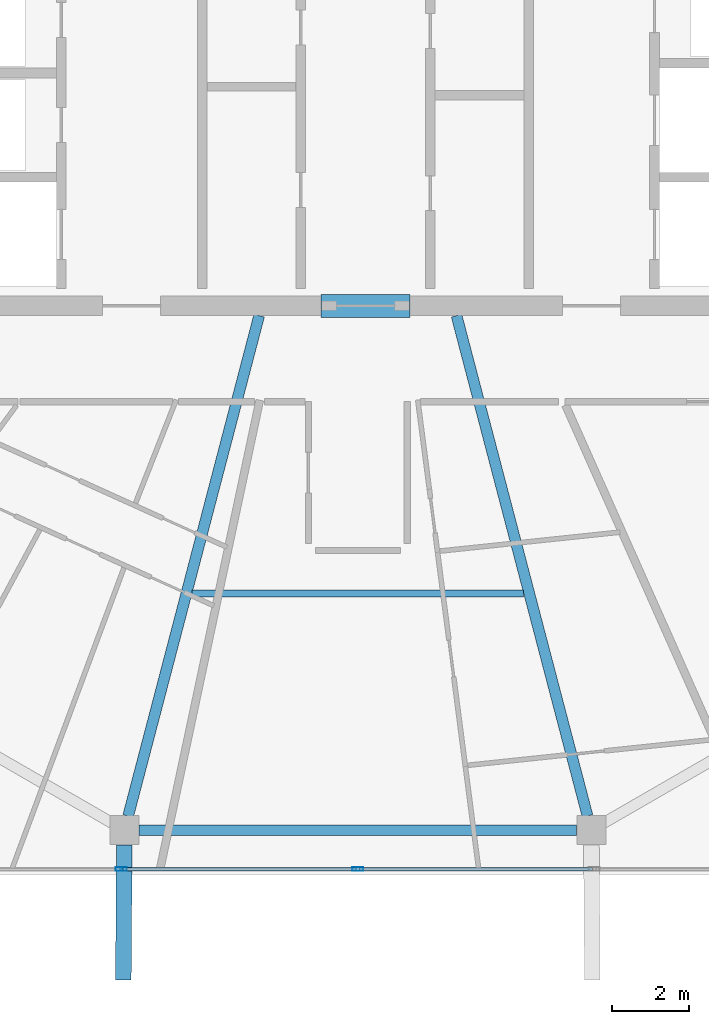
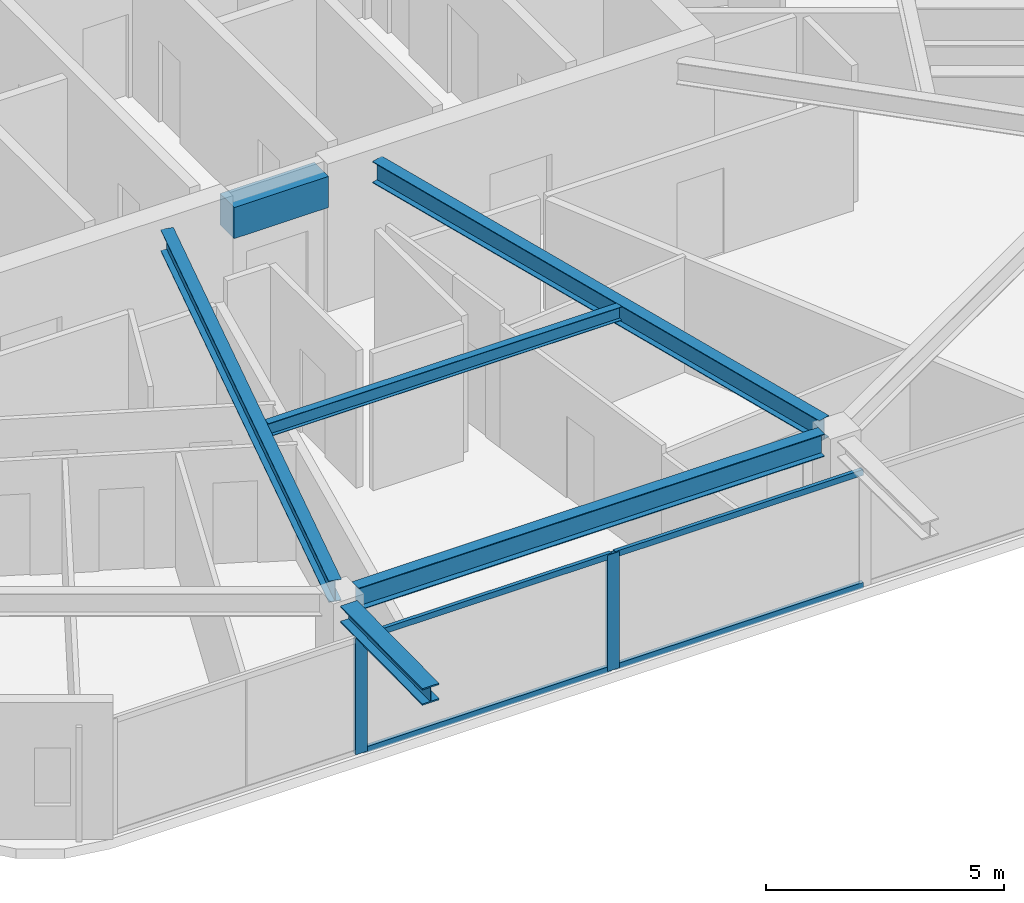
# One storey, part 3 of 23: 6 beams, 6 members, 1 element without a shape of its own.
"""IFC4 building model written with IfcOpenShell, lengths in metres."""

from ifc_helpers import new_model, si_unit, direction, frame, origin, origin_2d, place, context, subcontext, project, spatial, rectangle, hollow_rectangle, i_section, extrude, material, material_profile, profile_set, type_object, element, aggregate, save


model = new_model("IFC4")

# Units and contexts
model_context = context("Model", 3, precision=1e-05, world=origin(), true_north=direction((0.0, 1.0)))
body_context = subcontext(model_context, "Body", "Model", "MODEL_VIEW")
ifc_project = project(units=[si_unit("LENGTHUNIT", "METRE"), si_unit("AREAUNIT", "SQUARE_METRE"), si_unit("VOLUMEUNIT", "CUBIC_METRE"), si_unit("PLANEANGLEUNIT", "RADIAN"), si_unit("MASSUNIT", "GRAM", prefix="KILO")], contexts=[model_context])

# Site, building, storey
site_placement = place(None, origin())
site = spatial("IfcSite", under=ifc_project, at=site_placement, CompositionType="ELEMENT")
building_placement = place(site_placement, origin())
building = spatial("IfcBuilding", under=site, at=building_placement, Name="Zuhravey Tower", CompositionType="ELEMENT")
storey_placement = place(building_placement, frame((0.0, 0.0, 350.0)))
storey = spatial("IfcBuildingStorey", under=building, at=storey_placement, Name="L89", CompositionType="ELEMENT", Elevation=350.0)

# Beam
ifc_material_1 = material(Name="Concrete C50/60", Category="concrete")
ifc_material_profile_1 = material_profile(ifc_material_1, rectangle(XDim=0.60009765625, YDim=0.800048828125, at=origin_2d()), Name="RC-600x800")
ifc_profile_set_1 = profile_set([ifc_material_profile_1], Name="Concrete C50/60")
beam_type_1 = type_object("IfcBeamType", Name="Core Coupling Beam RC600x800", PredefinedType="LINTEL", material=ifc_profile_set_1)
beam_1_placement = place(storey_placement, frame((35.052001953125, 22.5, 3.1201171875), z_axis=(1.0, 0.0, 0.0), x_axis=(0.0, 1.0, 0.0)))
element("IfcBeam", 1, at=beam_1_placement, inside=storey, type_object=beam_type_1, Name="L89 CB2 BM-L89-CB-S", PredefinedType="LINTEL", context=body_context, shape_type="SweptSolid", body=[
    extrude(rectangle(XDim=0.60009765625, YDim=0.800048828125, at=origin_2d()), origin(), (0.0, 0.0, 1.0), 2.2958984375),
])

# Curtain wall, members
ifc_material_2 = material(Name="Thermally broken anodised aluminium", Category="aluminium")
curtain_wall_type = type_object("IfcCurtainWallType", Name="Zone 3-4 High-Rise Curtain Wall CW4", PredefinedType="NOTDEFINED", material=ifc_material_2)
curtain_wall_placement = place(storey_placement, origin())
curtain_wall = element("IfcCurtainWall", 2, at=curtain_wall_placement, inside=storey, type_object=curtain_wall_type, Name="L89 CW4 CW-L89-F5-1", PredefinedType="NOTDEFINED")
ifc_material_3 = material(Name="Anodised aluminium", Category="aluminium")
ifc_material_profile_2 = material_profile(ifc_material_3, hollow_rectangle(XDim=0.090087890625, YDim=0.284912109375, WallThickness=0.0048828125, at=origin_2d()), Name="ALU-RHS-90x285x5")
ifc_profile_set_2 = profile_set([ifc_material_profile_2], Name="Anodised aluminium")
member_type_1 = type_object("IfcMemberType", Name="Curtain-Wall Mullion 90x180", PredefinedType="MULLION", material=ifc_profile_set_2)
member_1_placement = place(storey_placement, frame((36.0, 7.92578125, 0.0), z_axis=(0.0, 0.0, 1.0), x_axis=(0.0, -1.0, 0.0)))
member_1 = element("IfcMember", 3, at=member_1_placement, type_object=member_type_1, Name="CW4 mullion 3", PredefinedType="MULLION", context=body_context, shape_type="SweptSolid", body=[
    extrude(hollow_rectangle(XDim=0.090087890625, YDim=0.284912109375, WallThickness=0.0048828125, at=origin_2d()), origin(), (0.0, 0.0, 1.0), 2.987060546875),
])
member_2_placement = place(storey_placement, frame((29.88037109375, 7.92578125, 0.0), z_axis=(0.0, 0.0, 1.0), x_axis=(0.0, -1.0, 0.0)))
member_2 = element("IfcMember", 4, at=member_2_placement, type_object=member_type_1, Name="CW4 mullion 4", PredefinedType="MULLION", context=body_context, shape_type="SweptSolid", body=[
    extrude(hollow_rectangle(XDim=0.090087890625, YDim=0.284912109375, WallThickness=0.0048828125, at=origin_2d()), origin(), (0.0, 0.0, 1.0), 2.987060546875),
])
ifc_material_profile_3 = material_profile(ifc_material_3, hollow_rectangle(XDim=0.090087890625, YDim=0.14990234375, WallThickness=0.0048828125, at=origin_2d()), Name="ALU-RHS-90x150x5")
ifc_profile_set_3 = profile_set([ifc_material_profile_3], Name="Anodised aluminium")
member_type_2 = type_object("IfcMemberType", Name="Curtain-Wall Transom 90x150", PredefinedType="USERDEFINED", material=ifc_profile_set_3)
member_3_placement = place(storey_placement, frame((42.07470703125, 7.92578125, 0.044921875), z_axis=(-1.0, 0.0, 0.0), x_axis=(0.0, -1.0, 0.0)))
member_3 = element("IfcMember", 5, at=member_3_placement, type_object=member_type_2, Name="CW4 transom 2.1", ObjectType="TRANSOM", PredefinedType="USERDEFINED", context=body_context, shape_type="SweptSolid", body=[
    extrude(hollow_rectangle(XDim=0.090087890625, YDim=0.14990234375, WallThickness=0.0048828125, at=origin_2d()), origin(), (0.0, 0.0, 1.0), 6.02978515625),
])
member_4_placement = place(storey_placement, frame((42.07470703125, 7.92578125, 2.94189453125), z_axis=(-1.0, 0.0, 0.0), x_axis=(0.0, -1.0, 0.0)))
member_4 = element("IfcMember", 6, at=member_4_placement, type_object=member_type_2, Name="CW4 transom 2.2", ObjectType="TRANSOM", PredefinedType="USERDEFINED", context=body_context, shape_type="SweptSolid", body=[
    extrude(hollow_rectangle(XDim=0.090087890625, YDim=0.14990234375, WallThickness=0.0048828125, at=origin_2d()), origin(), (0.0, 0.0, 1.0), 6.02978515625),
])
member_5_placement = place(storey_placement, frame((35.955078125, 7.92578125, 0.044921875), z_axis=(-1.0, 0.0, 0.0), x_axis=(0.0, -1.0, 0.0)))
member_5 = element("IfcMember", 7, at=member_5_placement, type_object=member_type_2, Name="CW4 transom 3.1", ObjectType="TRANSOM", PredefinedType="USERDEFINED", context=body_context, shape_type="SweptSolid", body=[
    extrude(hollow_rectangle(XDim=0.090087890625, YDim=0.14990234375, WallThickness=0.0048828125, at=origin_2d()), origin(), (0.0, 0.0, 1.0), 6.02978515625),
])
member_6_placement = place(storey_placement, frame((35.955078125, 7.92578125, 2.94189453125), z_axis=(-1.0, 0.0, 0.0), x_axis=(0.0, -1.0, 0.0)))
member_6 = element("IfcMember", 8, at=member_6_placement, type_object=member_type_2, Name="CW4 transom 3.2", ObjectType="TRANSOM", PredefinedType="USERDEFINED", context=body_context, shape_type="SweptSolid", body=[
    extrude(hollow_rectangle(XDim=0.090087890625, YDim=0.14990234375, WallThickness=0.0048828125, at=origin_2d()), origin(), (0.0, 0.0, 1.0), 6.02978515625),
])
aggregate(curtain_wall, [member_1, member_2, member_3, member_4, member_5, member_6])

# Beams
ifc_material_4 = material(Name="Steel SM460", Category="steel")
ifc_material_profile_4 = material_profile(ifc_material_4, i_section(OverallWidth=0.406982421875, OverallDepth=0.427978515625, WebThickness=0.02001953125, FlangeThickness=0.034912109375, at=origin_2d()), Name="H-428x407x20x35")
ifc_profile_set_4 = profile_set([ifc_material_profile_4], Name="Steel SM460")
beam_type_2 = type_object("IfcBeamType", Name="Exoskeleton Node Tie Beam H428x407", PredefinedType="BEAM", material=ifc_profile_set_4)
beam_2_placement = place(storey_placement, frame((29.95849609375, 8.556884765625, 3.200927734375), z_axis=(-0.00740203185, -0.999972604587, 0.0), x_axis=(0.999972604587, -0.00740203185, 0.0)))
element("IfcBeam", 9, at=beam_2_placement, inside=storey, type_object=beam_type_2, Name="L89 Exoskeleton Node Tie NT1-09", PredefinedType="BEAM", context=body_context, shape_type="SweptSolid", body=[
    extrude(i_section(OverallWidth=0.406982421875, OverallDepth=0.427978515625, WebThickness=0.02001953125, FlangeThickness=0.034912109375, at=origin_2d()), origin(), (0.0, 0.0, 1.0), 3.49609375),
])
ifc_material_5 = material(Name="Steel SM355", Category="steel")
ifc_material_profile_5 = material_profile(ifc_material_5, i_section(OverallWidth=0.280029296875, OverallDepth=0.580078125, WebThickness=0.011962890625, FlangeThickness=0.01904296875, at=origin_2d()), Name="H-580x280x12x19")
ifc_profile_set_5 = profile_set([ifc_material_profile_5], Name="Steel SM355")
beam_type_3 = type_object("IfcBeamType", Name="Perimeter Ring Beam H580x280", PredefinedType="BEAM", material=ifc_profile_set_5)
beam_3_placement = place(storey_placement, frame((30.33935546875, 8.935791015625, 3.22998046875), z_axis=(1.0, 0.0, 0.0), x_axis=(0.0, 1.0, 0.0)))
element("IfcBeam", 10, at=beam_3_placement, inside=storey, type_object=beam_type_3, Name="L89 PB4 BM-L89-PB-09", PredefinedType="BEAM", context=body_context, shape_type="SweptSolid", body=[
    extrude(i_section(OverallWidth=0.280029296875, OverallDepth=0.580078125, WebThickness=0.011962890625, FlangeThickness=0.01904296875, at=origin_2d()), origin(), (0.0, 0.0, 1.0), 11.3212890625),
])
ifc_material_profile_6 = material_profile(ifc_material_5, i_section(OverallWidth=0.280029296875, OverallDepth=0.550048828125, WebThickness=0.010986328125, FlangeThickness=0.01806640625, at=origin_2d()), Name="H-550x280x11x18")
ifc_profile_set_6 = profile_set([ifc_material_profile_6], Name="Steel SM355")
beam_type_4 = type_object("IfcBeamType", Name="Radial Primary Girder H550x280", PredefinedType="BEAM", material=ifc_profile_set_6)
for number, where, z_axis, x_axis, name in (
    (11, (33.446533203125, 22.2470703125, 3.2451171875), (-0.253282562653, -0.967392342049, 0.0), (0.967392342049, -0.253282562653, 0.0), "L89 RG4 BM-L89-RAD-09"),
    (12, (38.553466796875, 22.2470703125, 3.2451171875), (0.253282562653, -0.967392342049, 0.0), (0.967392342049, 0.253282562653, 0.0), "L89 RG4 BM-L89-RAD-10"),
):
    element("IfcBeam", number, at=place(storey_placement, frame(where, z_axis=z_axis, x_axis=x_axis)), inside=storey, type_object=beam_type_4, Name=name, PredefinedType="BEAM", context=body_context, shape_type="SweptSolid", body=[
        extrude(i_section(OverallWidth=0.280029296875, OverallDepth=0.550048828125, WebThickness=0.010986328125, FlangeThickness=0.01806640625, at=origin_2d()), origin(), (0.0, 0.0, 1.0), 13.3818359375),
    ])
ifc_material_profile_7 = material_profile(ifc_material_5, i_section(OverallWidth=0.175048828125, OverallDepth=0.35009765625, WebThickness=0.007080078125, FlangeThickness=0.010986328125, at=origin_2d()), Name="H-350x175x7x11")
ifc_profile_set_7 = profile_set([ifc_material_profile_7], Name="Steel SM355")
beam_type_5 = type_object("IfcBeamType", Name="Secondary Floor Joist H350x175", PredefinedType="JOIST", material=ifc_profile_set_7)
beam_4_placement = place(storey_placement, frame((31.70849609375, 15.05908203125, 3.344970703125), z_axis=(1.0, 0.0, 0.0), x_axis=(0.0, 1.0, 0.0)))
element("IfcBeam", 13, at=beam_4_placement, inside=storey, type_object=beam_type_5, Name="L89 SJ3 BM-L89-SJ-09-1", PredefinedType="JOIST", context=body_context, shape_type="SweptSolid", body=[
    extrude(i_section(OverallWidth=0.175048828125, OverallDepth=0.35009765625, WebThickness=0.007080078125, FlangeThickness=0.010986328125, at=origin_2d()), origin(), (0.0, 0.0, 1.0), 8.5830078125),
])

save(model, "model.ifc")
